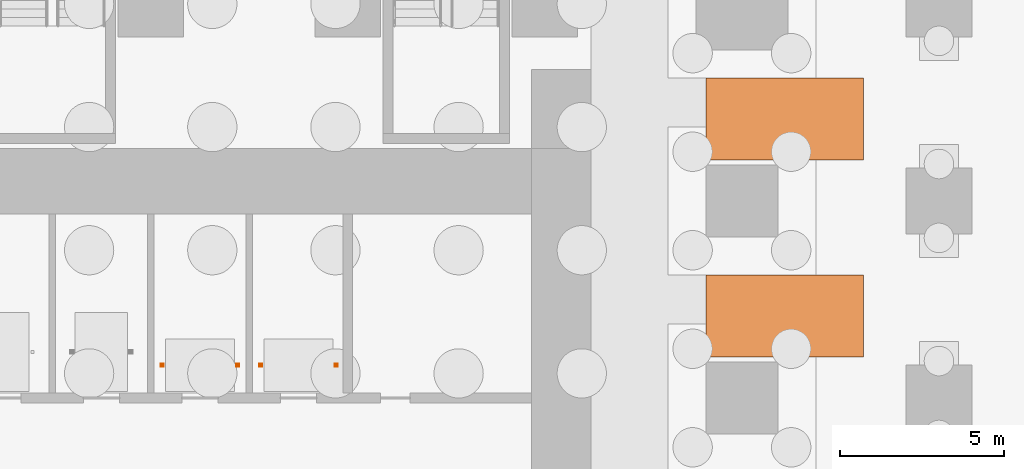
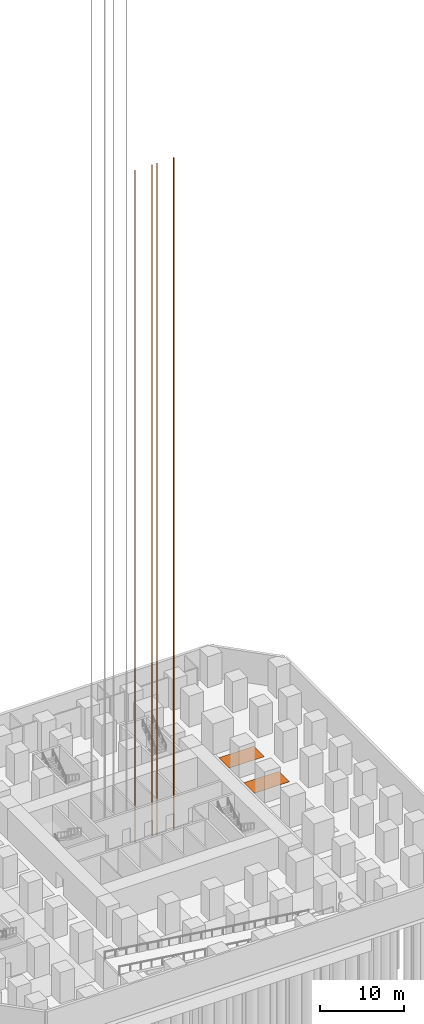
# One storey, part 11 of 11: 4 proxies.
"""IFC4 building model written with IfcOpenShell, lengths in metres."""

from ifc_helpers import new_model, si_unit, direction, frame, origin, origin_2d, place, context, subcontext, project, spatial, polyline, rectangle, outline, extrude, material, type_object, element, save


model = new_model("IFC4")

# Units and contexts
model_context = context("Model", 3, precision=1e-05, world=origin(), true_north=direction((0.0, 1.0)))
body_context = subcontext(model_context, "Body", "Model", "MODEL_VIEW")
ifc_project = project(units=[si_unit("LENGTHUNIT", "METRE"), si_unit("AREAUNIT", "SQUARE_METRE"), si_unit("VOLUMEUNIT", "CUBIC_METRE"), si_unit("PLANEANGLEUNIT", "RADIAN"), si_unit("MASSUNIT", "GRAM", prefix="KILO")], contexts=[model_context])

# Site, building, storey
site_placement = place(None, origin())
site = spatial("IfcSite", under=ifc_project, at=site_placement, CompositionType="ELEMENT")
building_placement = place(site_placement, origin())
building = spatial("IfcBuilding", under=site, at=building_placement, Name="Highveld Stack Headquarters", CompositionType="ELEMENT")
storey_placement = place(building_placement, frame((0.0, 0.0, -9.0)))
storey = spatial("IfcBuildingStorey", under=building, at=storey_placement, Name="B2", CompositionType="ELEMENT", Elevation=-9.0)

# Proxies
ifc_material_1 = material(Name="Galvanised steel guide rails", Category="steel")
building_element_proxy_type_1 = type_object("IfcBuildingElementProxyType", Name="LIFT GUIDE RAIL FRAME", PredefinedType="USERDEFINED", material=ifc_material_1)
for number, where, z_axis, x_axis, name in (
    (1, (6.35009765625, 7.0, -1.2001953125), (0.0, 0.0, 1.0), (1.0, 0.0, 0.0), "Guide rails A1"),
    (2, (9.35009765625, 7.0, -1.2001953125), (0.0, 0.0, 1.0), (1.0, 0.0, 0.0), "Guide rails A2"),
):
    element("IfcBuildingElementProxy", number, at=place(storey_placement, frame(where, z_axis=z_axis, x_axis=x_axis)), inside=storey, type_object=building_element_proxy_type_1, Name=name, ObjectType="LIFT GUIDE RAILS", PredefinedType="USERDEFINED", context=body_context, shape_type="SweptSolid", body=[
        extrude(rectangle(XDim=0.10009765625, YDim=0.10009765625, at=origin_2d()), origin(), (0.0, 0.0, 1.0), 97.699951171875),
        extrude(rectangle(XDim=0.10009765625, YDim=0.10009765625, at=origin_2d()), frame((2.2998046875, 0.0, 0.0)), (0.0, 0.0, 1.0), 97.699951171875),
    ])
ifc_material_2 = material(Name="Marking paint")
building_element_proxy_type_2 = type_object("IfcBuildingElementProxyType", Name="PARKING BAY MARKING", PredefinedType="USERDEFINED", material=ifc_material_2)
proxy_1_placement = place(storey_placement, origin())
element("IfcBuildingElementProxy", 3, at=proxy_1_placement, inside=storey, type_object=building_element_proxy_type_2, Name="Parking bay marking B2-P05", ObjectType="PARKING BAY MARKING", PredefinedType="USERDEFINED", context=body_context, shape_type="SweptSolid", body=[
    extrude(outline(polyline([(27.699951171875, 7.25), (27.699951171875, 9.75), (22.89990234375, 9.75), (22.89990234375, 7.25), (27.699951171875, 7.25)])), origin(), (0.0, 0.0, 1.0), 0.02001953125),
])
proxy_2_placement = place(storey_placement, origin())
element("IfcBuildingElementProxy", 4, at=proxy_2_placement, inside=storey, type_object=building_element_proxy_type_2, Name="Parking bay marking B2-P06", ObjectType="PARKING BAY MARKING", PredefinedType="USERDEFINED", context=body_context, shape_type="SweptSolid", body=[
    extrude(outline(polyline([(27.699951171875, 13.25), (27.699951171875, 15.75), (22.89990234375, 15.75), (22.89990234375, 13.25), (27.699951171875, 13.25)])), origin(), (0.0, 0.0, 1.0), 0.02001953125),
])

save(model, "model.ifc")
